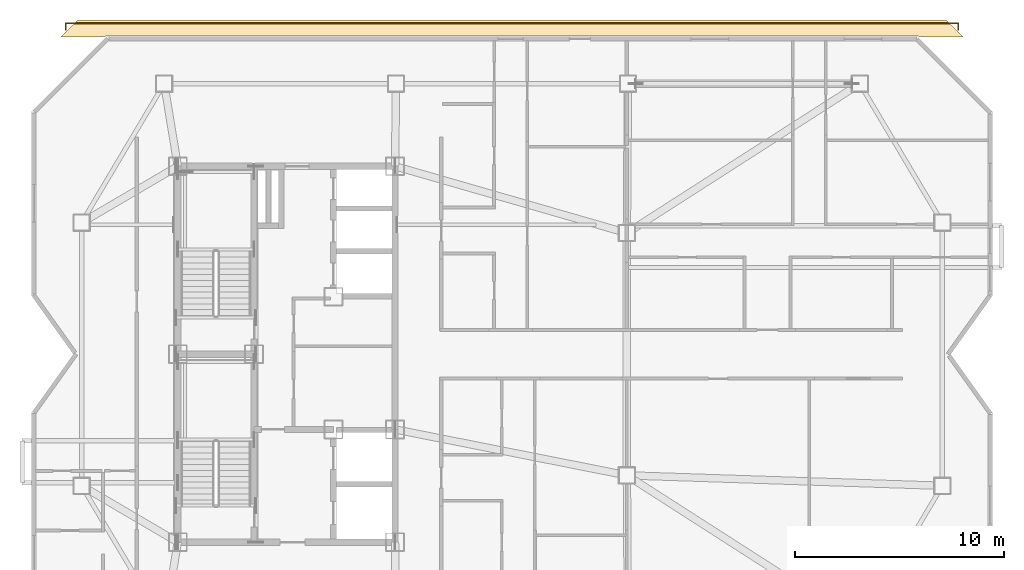
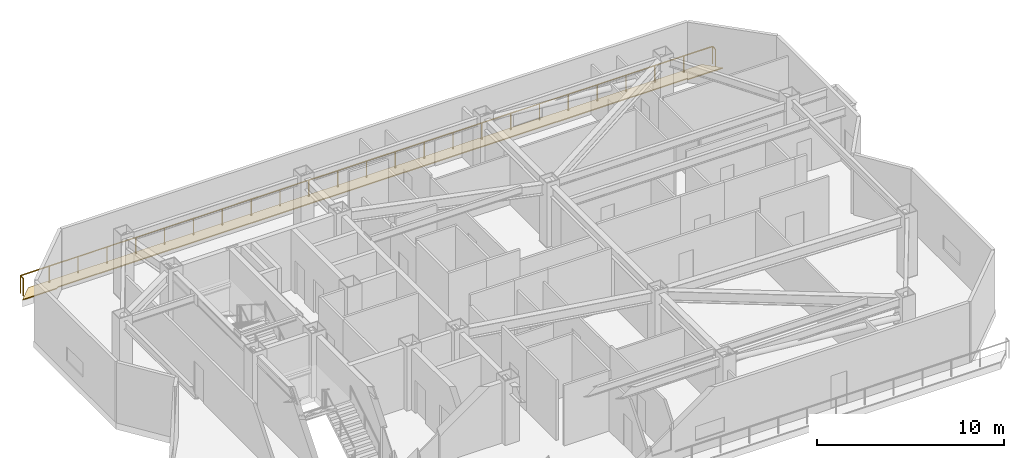
# One storey, part 11 of 11: 1 covering, 1 railing.
"""IFC4 building model written with IfcOpenShell, lengths in metres."""

import ifcopenshell
import ifcopenshell.guid

model = None  # the IFC model being written
_history = None  # IfcOwnerHistory: only IFC2X3 demands one
_inside = {}  # id of a spatial element -> (the spatial element, [elements in it])
_under = {}  # id of a project, library or spatial element -> (it, [spatial elements below it])
_declared = {}  # id of a project -> (the project, [libraries it declares])
_typed = {}  # id of a type object -> (the type object, [elements of that type])
_made_of = {}  # id of a material, layer set ... -> (it, [elements and type objects made of it])


def new_model(schema):
    """Start an empty IFC model of exactly this schema.

    Asked for "IFC4X3", IfcOpenShell would pick the latest addendum, in which some entities
    have other attributes; the version numbers below select the first issue.
    IFC2X3 requires an IfcOwnerHistory on every rooted entity: one is made here for all.
    """
    global model, _history
    if schema == "IFC4X3":
        model = ifcopenshell.file(schema_version=(4, 3, 0, 0))
    else:
        model = ifcopenshell.file(schema=schema)
    _inside.clear()
    _under.clear()
    _declared.clear()
    _typed.clear()
    _made_of.clear()
    _history = None
    if model.schema == "IFC2X3":
        org = make("IfcOrganization", Name="unknown")
        user = make(
            "IfcPersonAndOrganization",
            ThePerson=make("IfcPerson", FamilyName="unknown"),
            TheOrganization=org,
        )
        app = make(
            "IfcApplication",
            ApplicationDeveloper=org,
            Version="unknown",
            ApplicationFullName="unknown",
            ApplicationIdentifier="unknown",
        )
        _history = make(
            "IfcOwnerHistory",
            OwningUser=user,
            OwningApplication=app,
            ChangeAction="ADDED",
            CreationDate=0,
        )
    return model


def make(cls, **values):
    """One entity of the class cls with the attributes given. An attribute that is None is left unset."""
    return model.create_entity(
        cls, **{name: value for name, value in values.items() if value is not None}
    )


def rooted(cls, **values):
    """An entity with a GlobalId (a new one), such as an element, a storey or a relation."""
    return make(cls, GlobalId=ifcopenshell.guid.new(), OwnerHistory=_history, **values)


def si_unit(unit_type, name, prefix=None):
    """IfcSIUnit, for example si_unit("LENGTHUNIT", "METRE", prefix="MILLI")."""
    return make("IfcSIUnit", UnitType=unit_type, Prefix=prefix, Name=name)


def assignment(units):
    """IfcUnitAssignment: the units of a project."""
    return None if units is None else make("IfcUnitAssignment", Units=units)


def point(xyz):
    """IfcCartesianPoint."""
    return None if xyz is None else make("IfcCartesianPoint", Coordinates=xyz)


def direction(xyz):
    """IfcDirection."""
    return None if xyz is None else make("IfcDirection", DirectionRatios=xyz)


def frame(location, z_axis=None, x_axis=None):
    """IfcAxis2Placement3D, a coordinate frame: its origin and axes. An axis left out is left unset."""
    return make(
        "IfcAxis2Placement3D",
        Location=point(location),
        Axis=direction(z_axis),
        RefDirection=direction(x_axis),
    )


def frame_2d(location, x_axis=None):
    """IfcAxis2Placement2D, a coordinate frame in the plane: its origin and x axis."""
    return make(
        "IfcAxis2Placement2D", Location=point(location), RefDirection=direction(x_axis)
    )


def origin():
    """The frame at (0, 0, 0) with its axes left unset."""
    return frame((0.0, 0.0, 0.0))


def origin_2d():
    """The frame at (0, 0) in the plane with its x axis left unset."""
    return frame_2d((0.0, 0.0))


def place(relative_to, where):
    """IfcLocalPlacement: puts the frame where relative to a parent placement (None: the world)."""
    return make(
        "IfcLocalPlacement", PlacementRelTo=relative_to, RelativePlacement=where
    )


def context(
    kind, dimensions, precision=None, world=None, true_north=None, identifier=None
):
    """IfcGeometricRepresentationContext, for example the 3D "Model" context."""
    return make(
        "IfcGeometricRepresentationContext",
        ContextIdentifier=identifier,
        ContextType=kind,
        CoordinateSpaceDimension=dimensions,
        Precision=precision,
        WorldCoordinateSystem=world,
        TrueNorth=true_north,
    )


def subcontext(parent, identifier, kind, view, scale=None):
    """IfcGeometricRepresentationSubContext, for example "Body" below "Model"."""
    return make(
        "IfcGeometricRepresentationSubContext",
        ContextIdentifier=identifier,
        ContextType=kind,
        ParentContext=parent,
        TargetScale=scale,
        TargetView=view,
    )


def project(units=None, contexts=None):
    """IfcProject with its units and contexts."""
    return rooted(
        "IfcProject",
        Name="project",
        RepresentationContexts=contexts,
        UnitsInContext=assignment(units),
    )


def spatial(cls, under=None, at=None, **own):
    """A site, building, storey or space (cls), placed at a placement, below another one or the project."""
    s = rooted(cls, ObjectPlacement=at, **own)
    if under is not None:
        _under.setdefault(under.id(), (under, []))[1].append(s)
    return s


def polyline(points):
    """IfcPolyline through the points."""
    return make("IfcPolyline", Points=[point(p) for p in points])


def profile(cls, at=None, kind="AREA", **sizes):
    """A parametric profile (cls). Its sizes go by their IFC names, for example OverallWidth=200.0."""
    return make(cls, ProfileType=kind, Position=at, **sizes)


def circle(**sizes):
    """IfcCircleProfileDef."""
    return profile("IfcCircleProfileDef", **sizes)


def outline(outer, holes=None, kind="AREA"):
    """IfcArbitraryClosedProfileDef: a profile drawn as a closed curve; with holes, ...WithVoids."""
    if holes is None:
        return make("IfcArbitraryClosedProfileDef", ProfileType=kind, OuterCurve=outer)
    return make(
        "IfcArbitraryProfileDefWithVoids",
        ProfileType=kind,
        OuterCurve=outer,
        InnerCurves=holes,
    )


def extrude(swept, where, along, depth):
    """IfcExtrudedAreaSolid: the profile swept, set in the frame where, extruded along a direction by depth."""
    return make(
        "IfcExtrudedAreaSolid",
        SweptArea=swept,
        Position=where,
        ExtrudedDirection=direction(along),
        Depth=depth,
    )


def shape(context_of_items, identifier, shape_type, items):
    """IfcShapeRepresentation: the items that make up one representation, for example the "Body"."""
    return make(
        "IfcShapeRepresentation",
        ContextOfItems=context_of_items,
        RepresentationIdentifier=identifier,
        RepresentationType=shape_type,
        Items=items,
    )


def material(Name=None, Category=None):
    """IfcMaterial."""
    return make("IfcMaterial", Name=Name, Category=Category)


def layer(
    of_material, thickness, ventilated=None, Name=None, Category=None, Priority=None
):
    """IfcMaterialLayer: one layer of a wall or slab, of a material (None: an air gap)."""
    return make(
        "IfcMaterialLayer",
        Material=of_material,
        LayerThickness=thickness,
        IsVentilated=ventilated,
        Name=Name,
        Category=Category,
        Priority=Priority,
    )


def layer_set(layers, Name=None):
    """IfcMaterialLayerSet."""
    return make("IfcMaterialLayerSet", MaterialLayers=layers, LayerSetName=Name)


def made_of(thing, what):
    """Note that an element or type object is made of a material, layer set ...; save() writes the relation."""
    if what is not None:
        _made_of.setdefault(what.id(), (what, []))[1].append(thing)
    return thing


def type_object(cls, material=None, **own):
    """A type object (cls), such as IfcWallType, which elements share."""
    return made_of(rooted(cls, **own), material)


def element(
    cls,
    number,
    at=None,
    inside=None,
    cuts=None,
    type_object=None,
    material=None,
    context=None,
    identifier="Body",
    shape_type=None,
    held_by="IfcProductDefinitionShape",
    body=None,
    shapes=None,
    **own,
):
    """One element of the class cls, such as IfcWall. Its Tag is "e" and its number.

    at: its placement. inside: the storey or other place that contains it. cuts: it is an
    opening in that element (IfcRelVoidsElement). A single representation is given by context,
    identifier, shape_type and body (its items); several are given by shapes. held_by: the class
    of the entity that holds the representations. save() writes the other relations.
    """
    e = rooted(cls, Tag="e%d" % number, ObjectPlacement=at, **own)
    if body is not None:
        shapes = [shape(context, identifier, shape_type, body)]
    if shapes is not None:
        e.Representation = make(held_by, Representations=shapes)
    if inside is not None:
        _inside.setdefault(inside.id(), (inside, []))[1].append(e)
    if cuts is not None:
        rooted(
            "IfcRelVoidsElement", RelatingBuildingElement=cuts, RelatedOpeningElement=e
        )
    if type_object is not None:
        _typed.setdefault(type_object.id(), (type_object, []))[1].append(e)
    return made_of(e, material)


def aggregate(whole, parts):
    """IfcRelAggregates: a whole, such as a stair, and the parts it consists of."""
    return rooted("IfcRelAggregates", RelatingObject=whole, RelatedObjects=parts)


def save(model, path):
    """Write the relations noted so far, then the file.

    IfcRelAggregates (storeys below a building ...), IfcRelContainedInSpatialStructure (elements
    in a storey), IfcRelDefinesByType, IfcRelAssociatesMaterial and IfcRelDeclares: one each for
    every whole, place, type object, material and project.
    """
    for whole, parts in _under.values():
        aggregate(whole, parts)
    for where, things in _inside.values():
        rooted(
            "IfcRelContainedInSpatialStructure",
            RelatedElements=things,
            RelatingStructure=where,
        )
    for kind, things in _typed.values():
        rooted("IfcRelDefinesByType", RelatedObjects=things, RelatingType=kind)
    for what, things in _made_of.values():
        rooted("IfcRelAssociatesMaterial", RelatedObjects=things, RelatingMaterial=what)
    for by, libraries in _declared.values():
        rooted("IfcRelDeclares", RelatingContext=by, RelatedDefinitions=libraries)
    model.write(path)


model = new_model("IFC4")

# Units and contexts
model_context = context("Model", 3, precision=1e-05, world=origin(), true_north=direction((0.0, 1.0)))
body_context = subcontext(model_context, "Body", "Model", "MODEL_VIEW")
ifc_project = project(units=[si_unit("LENGTHUNIT", "METRE"), si_unit("AREAUNIT", "SQUARE_METRE"), si_unit("VOLUMEUNIT", "CUBIC_METRE"), si_unit("PLANEANGLEUNIT", "RADIAN"), si_unit("MASSUNIT", "GRAM", prefix="KILO")], contexts=[model_context])

# Site, building, storey
site_placement = place(None, origin())
site = spatial("IfcSite", under=ifc_project, at=site_placement, CompositionType="ELEMENT")
building_placement = place(site_placement, origin())
building = spatial("IfcBuilding", under=site, at=building_placement, Name="Khamvora Tower", CompositionType="ELEMENT")
storey_placement = place(building_placement, frame((0.0, 0.0, 269.449951171875)))
storey = spatial("IfcBuildingStorey", under=building, at=storey_placement, Name="L69", CompositionType="ELEMENT", Elevation=269.449951171875)

# Covering
ifc_material_1 = material(Name="Insulated Elastomeric Roof Waterproofing System", Category="membrane")
ifc_layer = layer(ifc_material_1, 0.0849609375)
ifc_layer_set = layer_set([ifc_layer], Name="Insulated Elastomeric Roof Waterproofing System")
covering_type = type_object("IfcCoveringType", Name="COV-ROOF-MEM", PredefinedType="ROOFING", material=ifc_layer_set)
covering_placement = place(storey_placement, origin())
element("IfcCovering", 1, at=covering_placement, inside=storey, type_object=covering_type, Name="L69 terrace waterproofing paving 2", PredefinedType="ROOFING", context=body_context, shape_type="SweptSolid", body=[
    extrude(outline(polyline([(24.199951171875, 44.0), (65.800048828125, 44.0), (66.6201171875, 43.179931640625), (64.5048828125, 43.179931640625), (64.44189453125, 43.241943359375), (64.43798828125, 43.24609375), (64.43310546875, 43.25), (64.427978515625, 43.2529296875), (64.423095703125, 43.2548828125), (64.4169921875, 43.257080078125), (64.412109375, 43.259033203125), (64.406005859375, 43.260009765625), (64.39990234375, 43.260009765625), (25.60009765625, 43.260009765625), (25.593994140625, 43.260009765625), (25.587890625, 43.259033203125), (25.5830078125, 43.257080078125), (25.576904296875, 43.2548828125), (25.572021484375, 43.2529296875), (25.56689453125, 43.25), (25.56201171875, 43.24609375), (25.55810546875, 43.241943359375), (25.4951171875, 43.179931640625), (23.3798828125, 43.179931640625), (24.199951171875, 44.0)])), origin(), (0.0, 0.0, 1.0), 0.06494140625),
])

# Railing
ifc_material_2 = material(Name="Laminated Structural Safety Glass and Stainless Steel", Category="steel")
railing_type = type_object("IfcRailingType", Name="RAL-POOL-1150", PredefinedType="BALUSTRADE", material=ifc_material_2)
railing_placement = place(storey_placement, frame((23.6298828125, 43.530029296875, 0.0)))
element("IfcRailing", 2, at=railing_placement, inside=storey, type_object=railing_type, Name="L69 stepped roof terrace balustrade 2", PredefinedType="BALUSTRADE", context=body_context, shape_type="SweptSolid", body=[
    extrude(circle(Radius=0.02392578125, at=origin_2d()), frame((0.0, 0.0, 1.1259765625), z_axis=(0.0, 1.0, 0.0), x_axis=(-1.0, 0.0, 0.0)), (0.0, 0.0, 1.0), 0.320068359375),
    extrude(circle(Radius=0.02392578125, at=origin_2d()), frame((0.0, 0.320068359375, 1.1259765625), z_axis=(1.0, 0.0, 0.0), x_axis=(0.0, 1.0, 0.0)), (0.0, 0.0, 1.0), 42.740234375),
    extrude(circle(Radius=0.02392578125, at=origin_2d()), frame((42.740234375, 0.320068359375, 1.1259765625), z_axis=(0.0, -1.0, 0.0), x_axis=(1.0, 0.0, 0.0)), (0.0, 0.0, 1.0), 0.320068359375),
    extrude(circle(Radius=0.02099609375, at=origin_2d()), origin(), (0.0, 0.0, 1.0), 1.101806640625),
    extrude(circle(Radius=0.02099609375, at=origin_2d()), frame((0.0, 0.320068359375, 0.0)), (0.0, 0.0, 1.0), 1.101806640625),
    extrude(circle(Radius=0.02099609375, at=origin_2d()), frame((1.78076171875, 0.320068359375, 0.0)), (0.0, 0.0, 1.0), 1.101806640625),
    extrude(circle(Radius=0.02099609375, at=origin_2d()), frame((3.561767578125, 0.320068359375, 0.0)), (0.0, 0.0, 1.0), 1.101806640625),
    extrude(circle(Radius=0.02099609375, at=origin_2d()), frame((5.342529296875, 0.320068359375, 0.0)), (0.0, 0.0, 1.0), 1.101806640625),
    extrude(circle(Radius=0.02099609375, at=origin_2d()), frame((7.123291015625, 0.320068359375, 0.0)), (0.0, 0.0, 1.0), 1.101806640625),
    extrude(circle(Radius=0.02099609375, at=origin_2d()), frame((8.904296875, 0.320068359375, 0.0)), (0.0, 0.0, 1.0), 1.101806640625),
    extrude(circle(Radius=0.02099609375, at=origin_2d()), frame((10.68505859375, 0.320068359375, 0.0)), (0.0, 0.0, 1.0), 1.101806640625),
    extrude(circle(Radius=0.02099609375, at=origin_2d()), frame((12.4658203125, 0.320068359375, 0.0)), (0.0, 0.0, 1.0), 1.101806640625),
    extrude(circle(Radius=0.02099609375, at=origin_2d()), frame((14.246826171875, 0.320068359375, 0.0)), (0.0, 0.0, 1.0), 1.101806640625),
    extrude(circle(Radius=0.02099609375, at=origin_2d()), frame((16.027587890625, 0.320068359375, 0.0)), (0.0, 0.0, 1.0), 1.101806640625),
    extrude(circle(Radius=0.02099609375, at=origin_2d()), frame((17.808349609375, 0.320068359375, 0.0)), (0.0, 0.0, 1.0), 1.101806640625),
    extrude(circle(Radius=0.02099609375, at=origin_2d()), frame((19.58935546875, 0.320068359375, 0.0)), (0.0, 0.0, 1.0), 1.101806640625),
    extrude(circle(Radius=0.02099609375, at=origin_2d()), frame((21.3701171875, 0.320068359375, 0.0)), (0.0, 0.0, 1.0), 1.101806640625),
    extrude(circle(Radius=0.02099609375, at=origin_2d()), frame((23.15087890625, 0.320068359375, 0.0)), (0.0, 0.0, 1.0), 1.101806640625),
    extrude(circle(Radius=0.02099609375, at=origin_2d()), frame((24.931884765625, 0.320068359375, 0.0)), (0.0, 0.0, 1.0), 1.101806640625),
    extrude(circle(Radius=0.02099609375, at=origin_2d()), frame((26.712646484375, 0.320068359375, 0.0)), (0.0, 0.0, 1.0), 1.101806640625),
    extrude(circle(Radius=0.02099609375, at=origin_2d()), frame((28.493408203125, 0.320068359375, 0.0)), (0.0, 0.0, 1.0), 1.101806640625),
    extrude(circle(Radius=0.02099609375, at=origin_2d()), frame((30.2744140625, 0.320068359375, 0.0)), (0.0, 0.0, 1.0), 1.101806640625),
    extrude(circle(Radius=0.02099609375, at=origin_2d()), frame((32.05517578125, 0.320068359375, 0.0)), (0.0, 0.0, 1.0), 1.101806640625),
    extrude(circle(Radius=0.02099609375, at=origin_2d()), frame((33.8359375, 0.320068359375, 0.0)), (0.0, 0.0, 1.0), 1.101806640625),
    extrude(circle(Radius=0.02099609375, at=origin_2d()), frame((35.616943359375, 0.320068359375, 0.0)), (0.0, 0.0, 1.0), 1.101806640625),
    extrude(circle(Radius=0.02099609375, at=origin_2d()), frame((37.397705078125, 0.320068359375, 0.0)), (0.0, 0.0, 1.0), 1.101806640625),
    extrude(circle(Radius=0.02099609375, at=origin_2d()), frame((39.178466796875, 0.320068359375, 0.0)), (0.0, 0.0, 1.0), 1.101806640625),
    extrude(circle(Radius=0.02099609375, at=origin_2d()), frame((40.95947265625, 0.320068359375, 0.0)), (0.0, 0.0, 1.0), 1.101806640625),
    extrude(circle(Radius=0.02099609375, at=origin_2d()), frame((42.740234375, 0.320068359375, 0.0)), (0.0, 0.0, 1.0), 1.101806640625),
    extrude(circle(Radius=0.02099609375, at=origin_2d()), frame((42.740234375, 0.0, 0.0)), (0.0, 0.0, 1.0), 1.101806640625),
])

save(model, "model.ifc")
